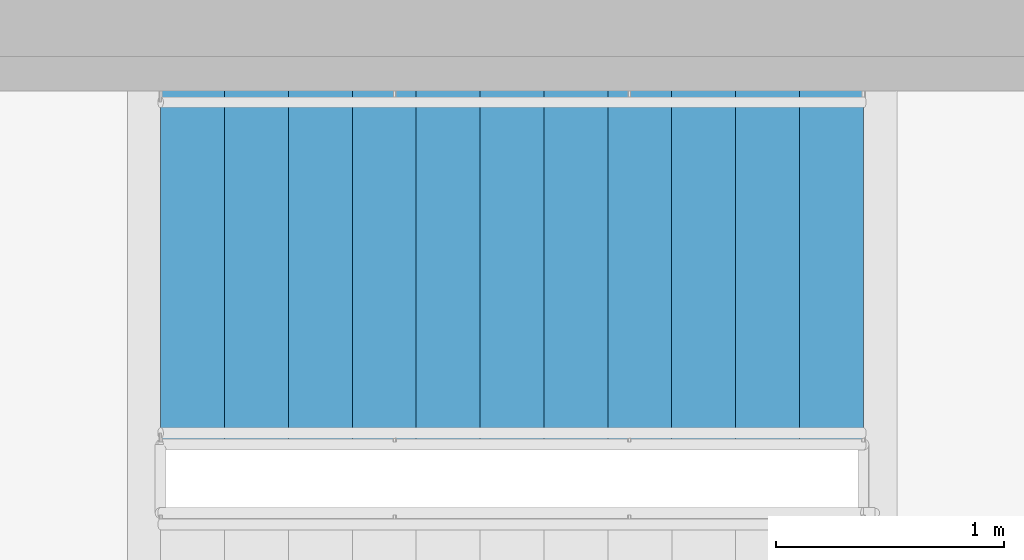
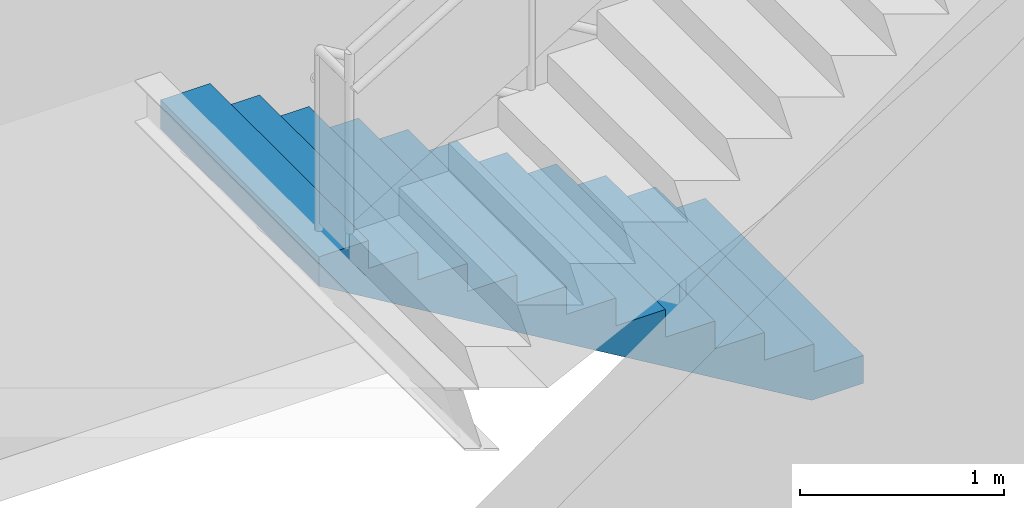
# One storey, part 13 of 16: 1 stair flight, 1 element without a shape of its own.
"""IFC4 building model written with IfcOpenShell, lengths in metres."""

from ifc_helpers import new_model, si_unit, direction, frame, origin, place, context, subcontext, project, spatial, polyline, outline, extrude, material, type_object, element, aggregate, save


model = new_model("IFC4")

# Units and contexts
model_context = context("Model", 3, precision=1e-05, world=origin(), true_north=direction((0.0, 1.0)))
body_context = subcontext(model_context, "Body", "Model", "MODEL_VIEW")
ifc_project = project(units=[si_unit("LENGTHUNIT", "METRE"), si_unit("AREAUNIT", "SQUARE_METRE"), si_unit("VOLUMEUNIT", "CUBIC_METRE"), si_unit("PLANEANGLEUNIT", "RADIAN"), si_unit("MASSUNIT", "GRAM", prefix="KILO")], contexts=[model_context])

# Site, building, storey
site_placement = place(None, origin())
site = spatial("IfcSite", under=ifc_project, at=site_placement, CompositionType="ELEMENT")
building_placement = place(site_placement, origin())
building = spatial("IfcBuilding", under=site, at=building_placement, Name="Namib Vertical Campus", CompositionType="ELEMENT")
storey_placement = place(building_placement, frame((0.0, 0.0, 117.0)))
storey = spatial("IfcBuildingStorey", under=building, at=storey_placement, Name="L27", CompositionType="ELEMENT", Elevation=117.0)

# Stair, stair flight
ifc_material_1 = material(Name="Concrete C40/50 precast", Category="concrete")
stair_type = type_object("IfcStairType", Name="Exit stair 4000 rise 24 risers 3400 wide", PredefinedType="HALF_TURN_STAIR", material=ifc_material_1)
stair_placement = place(storey_placement, origin())
stair = element("IfcStair", 1, at=stair_placement, inside=storey, type_object=stair_type, Name="Exit stair B-S3 L27", PredefinedType="HALF_TURN_STAIR")
ifc_material_2 = material(Name="Concrete C40/50 precast", Category="concrete")
stair_flight_type = type_object("IfcStairFlightType", Name="Stair flight 12 risers 167 1550 wide", PredefinedType="STRAIGHT", material=ifc_material_2)
stair_flight_placement = place(storey_placement, frame((82.949951171875, 39.22509765625, 0.0), z_axis=(0.0, 0.0, 1.0), x_axis=(-1.0, 0.0, 0.0)))
stair_flight = element("IfcStairFlight", 2, at=stair_flight_placement, type_object=stair_flight_type, Name="B-S3 flight 1", NumberOfRisers=12, NumberOfTreads=11, PredefinedType="STRAIGHT", RiserHeight=0.166666667, TreadLength=0.28, context=body_context, shape_type="SweptSolid", body=[
    extrude(outline(polyline([(0.0, 0.0), (0.0, 0.166748046875), (0.280029296875, 0.166748046875), (0.280029296875, 0.333251953125), (0.56005859375, 0.333251953125), (0.56005859375, 0.5), (0.840087890625, 0.5), (0.840087890625, 0.666748046875), (1.1201171875, 0.666748046875), (1.1201171875, 0.833251953125), (1.39990234375, 0.833251953125), (1.39990234375, 1.0), (1.679931640625, 1.0), (1.679931640625, 1.166748046875), (1.9599609375, 1.166748046875), (1.9599609375, 1.333251953125), (2.239990234375, 1.333251953125), (2.239990234375, 1.5), (2.52001953125, 1.5), (2.52001953125, 1.666748046875), (2.800048828125, 1.666748046875), (2.800048828125, 1.833251953125), (3.080078125, 1.833251953125), (3.080078125, 2.0), (3.080078125, 1.658935546875), (0.29296875, 0.0), (0.0, 0.0)])), frame((0.0, 0.77490234375, 0.0), z_axis=(0.0, -1.0, 0.0), x_axis=(1.0, 0.0, 0.0)), (0.0, 0.0, 1.0), 1.550048828125),
])
aggregate(stair, [stair_flight])

save(model, "model.ifc")
